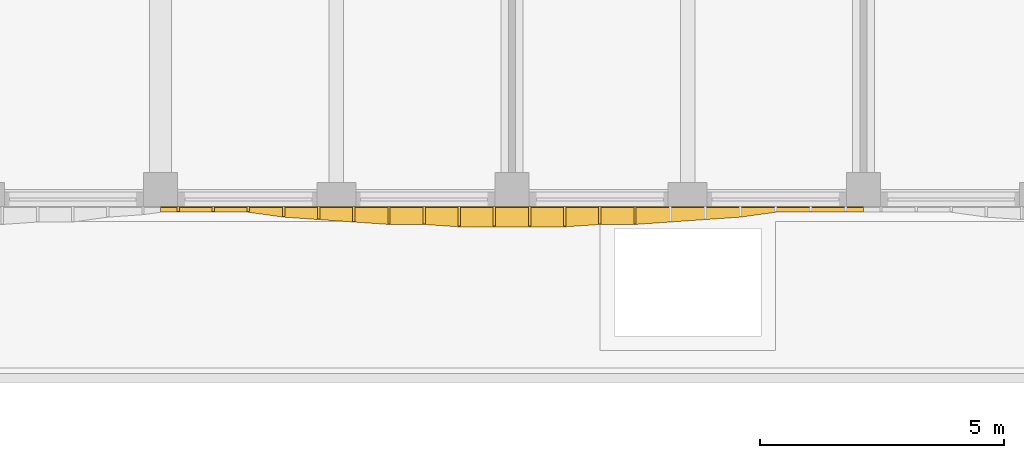
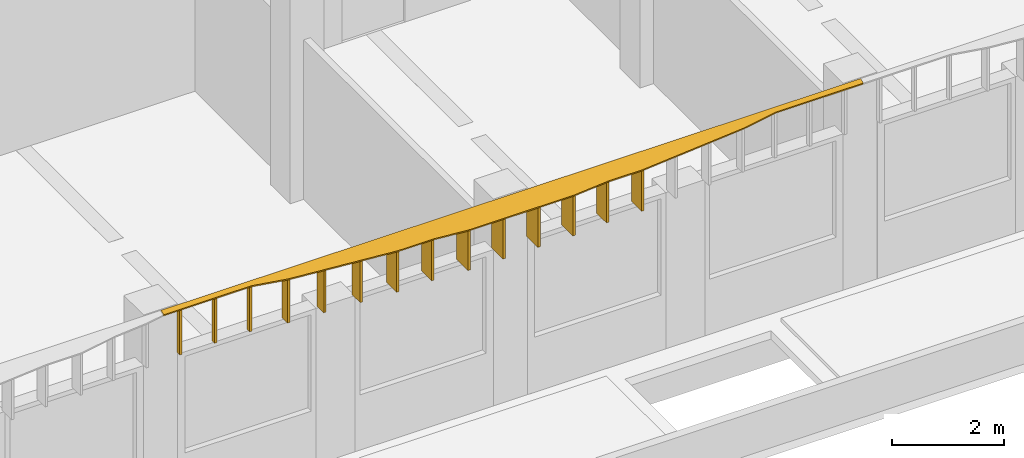
# One storey, part 45 of 59: 15 shading devices.
"""IFC4 building model written with IfcOpenShell, lengths in metres."""

from ifc_helpers import new_model, si_unit, direction, frame, origin, place, context, subcontext, project, spatial, polyline, outline, extrude, material, layer, layer_set, type_object, element, save


model = new_model("IFC4")

# Units and contexts
model_context = context("Model", 3, precision=1e-05, world=origin(), true_north=direction((0.0, 1.0)))
body_context = subcontext(model_context, "Body", "Model", "MODEL_VIEW")
ifc_project = project(units=[si_unit("LENGTHUNIT", "METRE"), si_unit("AREAUNIT", "SQUARE_METRE"), si_unit("VOLUMEUNIT", "CUBIC_METRE"), si_unit("PLANEANGLEUNIT", "RADIAN"), si_unit("MASSUNIT", "GRAM", prefix="KILO")], contexts=[model_context])

# Site, building, storey
site_placement = place(None, origin())
site = spatial("IfcSite", under=ifc_project, at=site_placement, CompositionType="ELEMENT")
building_placement = place(site_placement, origin())
building = spatial("IfcBuilding", under=site, at=building_placement, Name="Ussher Court Research Institute", CompositionType="ELEMENT")
storey_placement = place(building_placement, frame((0.0, 0.0, 5.39990234375)))
storey = spatial("IfcBuildingStorey", under=building, at=storey_placement, Name="L01", CompositionType="ELEMENT", Elevation=5.39990234375)

# Shading devices
ifc_material_1 = material(Name="Bronze anodised aluminium", Category="aluminium")
ifc_layer_1 = layer(ifc_material_1, 0.050048828125)
ifc_layer_set_1 = layer_set([ifc_layer_1], Name="Bronze anodised aluminium")
shading_device_type_1 = type_object("IfcShadingDeviceType", Name="Brim blade 100 mm deep 1000 mm high canted 20 deg dry", PredefinedType="USERDEFINED", material=ifc_layer_set_1)
for number, where, z_axis, x_axis, name in (
    (1, (26.39990234375, 68.39990234375, 3.4501953125), (0.0, 0.0, 1.0), (0.0, -1.0, 0.0), "Brim blade BS17 L01"),
    (2, (25.679931640625, 68.39990234375, 3.4501953125), (0.0, 0.0, 1.0), (0.0, -1.0, 0.0), "Brim blade BS17 L01"),
    (3, (24.9599609375, 68.39990234375, 3.4501953125), (0.0, 0.0, 1.0), (0.0, -1.0, 0.0), "Brim blade BS17 L01"),
):
    element("IfcShadingDevice", number, at=place(storey_placement, frame(where, z_axis=z_axis, x_axis=x_axis)), inside=storey, type_object=shading_device_type_1, Name=name, ObjectType="BLADE", PredefinedType="USERDEFINED", context=body_context, shape_type="SweptSolid", body=[
        extrude(outline(polyline([(0.0, 0.0), (0.099853515625, 0.0), (0.10009765625, 0.963623046875), (0.0, 1.0), (0.0, 0.0)])), frame((0.0, 0.02490234375, 0.0), z_axis=(0.0, -1.0, 0.0), x_axis=(1.0, 0.0, 0.0)), (0.0, 0.0, 1.0), 0.050048828125),
    ])
ifc_material_2 = material(Name="Bronze anodised aluminium", Category="aluminium")
ifc_layer_2 = layer(ifc_material_2, 0.050048828125)
ifc_layer_set_2 = layer_set([ifc_layer_2], Name="Bronze anodised aluminium")
shading_device_type_2 = type_object("IfcShadingDeviceType", Name="Brim blade 200 mm deep 1000 mm high canted 20 deg dry", PredefinedType="USERDEFINED", material=ifc_layer_set_2)
shading_device_1_placement = place(storey_placement, frame((27.1201171875, 68.39990234375, 3.4501953125), z_axis=(0.0, 0.0, 1.0), x_axis=(0.0, -1.0, 0.0)))
element("IfcShadingDevice", 4, at=shading_device_1_placement, inside=storey, type_object=shading_device_type_2, Name="Brim blade BS15 L01", ObjectType="BLADE", PredefinedType="USERDEFINED", context=body_context, shape_type="SweptSolid", body=[
    extrude(outline(polyline([(0.0, 0.0), (0.199951171875, 0.0), (0.199951171875, 0.927001953125), (0.0, 1.0), (0.0, 0.0)])), frame((0.0, 0.02490234375, 0.0), z_axis=(0.0, -1.0, 0.0), x_axis=(1.0, 0.0, 0.0)), (0.0, 0.0, 1.0), 0.050048828125),
])
ifc_material_3 = material(Name="Bronze anodised aluminium", Category="aluminium")
ifc_layer_3 = layer(ifc_material_3, 0.050048828125)
ifc_layer_set_3 = layer_set([ifc_layer_3], Name="Bronze anodised aluminium")
shading_device_type_3 = type_object("IfcShadingDeviceType", Name="Brim blade 250 mm deep 1000 mm high canted 20 deg dry", PredefinedType="USERDEFINED", material=ifc_layer_set_3)
shading_device_2_placement = place(storey_placement, frame((27.840087890625, 68.39990234375, 3.4501953125), z_axis=(0.0, 0.0, 1.0), x_axis=(0.0, -1.0, 0.0)))
element("IfcShadingDevice", 5, at=shading_device_2_placement, inside=storey, type_object=shading_device_type_3, Name="Brim blade BS14 L01", ObjectType="BLADE", PredefinedType="USERDEFINED", context=body_context, shape_type="SweptSolid", body=[
    extrude(outline(polyline([(0.0, 0.0), (0.25, 0.0), (0.25, 0.908935546875), (0.0, 1.0), (0.0, 0.0)])), frame((0.0, 0.02490234375, 0.0), z_axis=(0.0, -1.0, 0.0), x_axis=(1.0, 0.0, 0.0)), (0.0, 0.0, 1.0), 0.050048828125),
])
ifc_material_4 = material(Name="Bronze anodised aluminium", Category="aluminium")
ifc_layer_4 = layer(ifc_material_4, 0.050048828125)
ifc_layer_set_4 = layer_set([ifc_layer_4], Name="Bronze anodised aluminium")
shading_device_type_4 = type_object("IfcShadingDeviceType", Name="Brim blade 300 mm deep 1000 mm high canted 20 deg dry", PredefinedType="USERDEFINED", material=ifc_layer_set_4)
shading_device_3_placement = place(storey_placement, frame((28.56005859375, 68.39990234375, 3.4501953125), z_axis=(0.0, 0.0, 1.0), x_axis=(0.0, -1.0, 0.0)))
element("IfcShadingDevice", 6, at=shading_device_3_placement, inside=storey, type_object=shading_device_type_4, Name="Brim blade BS13 L01", ObjectType="BLADE", PredefinedType="USERDEFINED", context=body_context, shape_type="SweptSolid", body=[
    extrude(outline(polyline([(0.0, 0.0), (0.2998046875, 0.0), (0.300048828125, 0.890625), (0.0, 1.0), (0.0, 0.0)])), frame((0.0, 0.02490234375, 0.0), z_axis=(0.0, -1.0, 0.0), x_axis=(1.0, 0.0, 0.0)), (0.0, 0.0, 1.0), 0.050048828125),
])
ifc_material_5 = material(Name="Bronze anodised aluminium", Category="aluminium")
ifc_layer_5 = layer(ifc_material_5, 0.050048828125)
ifc_layer_set_5 = layer_set([ifc_layer_5], Name="Bronze anodised aluminium")
shading_device_type_5 = type_object("IfcShadingDeviceType", Name="Brim blade 350 mm deep 1000 mm high canted 20 deg dry", PredefinedType="USERDEFINED", material=ifc_layer_set_5)
for number, where, z_axis, x_axis, name in (
    (7, (34.320068359375, 68.39990234375, 3.4501953125), (0.0, 0.0, 1.0), (0.0, -1.0, 0.0), "Brim blade BS12 L01"),
    (8, (33.60009765625, 68.39990234375, 3.4501953125), (0.0, 0.0, 1.0), (0.0, -1.0, 0.0), "Brim blade BS12 L01"),
    (9, (30.0, 68.39990234375, 3.4501953125), (0.0, 0.0, 1.0), (0.0, -1.0, 0.0), "Brim blade BS12 L01"),
    (10, (29.280029296875, 68.39990234375, 3.4501953125), (0.0, 0.0, 1.0), (0.0, -1.0, 0.0), "Brim blade BS12 L01"),
):
    element("IfcShadingDevice", number, at=place(storey_placement, frame(where, z_axis=z_axis, x_axis=x_axis)), inside=storey, type_object=shading_device_type_5, Name=name, ObjectType="BLADE", PredefinedType="USERDEFINED", context=body_context, shape_type="SweptSolid", body=[
        extrude(outline(polyline([(0.0, 0.0), (0.349853515625, 0.0), (0.35009765625, 0.87255859375), (0.0, 1.0), (0.0, 0.0)])), frame((0.0, 0.02490234375, 0.0), z_axis=(0.0, -1.0, 0.0), x_axis=(1.0, 0.0, 0.0)), (0.0, 0.0, 1.0), 0.050048828125),
    ])
ifc_material_6 = material(Name="Bronze anodised aluminium", Category="aluminium")
ifc_layer_6 = layer(ifc_material_6, 0.050048828125)
ifc_layer_set_6 = layer_set([ifc_layer_6], Name="Bronze anodised aluminium")
shading_device_type_6 = type_object("IfcShadingDeviceType", Name="Brim blade 400 mm deep 1000 mm high canted 20 deg dry", PredefinedType="USERDEFINED", material=ifc_layer_set_6)
for number, where, z_axis, x_axis, name in (
    (11, (32.8798828125, 68.39990234375, 3.4501953125), (0.0, 0.0, 1.0), (0.0, -1.0, 0.0), "Brim blade BS11 L01"),
    (12, (32.159912109375, 68.39990234375, 3.4501953125), (0.0, 0.0, 1.0), (0.0, -1.0, 0.0), "Brim blade BS11 L01"),
    (13, (31.43994140625, 68.39990234375, 3.4501953125), (0.0, 0.0, 1.0), (0.0, -1.0, 0.0), "Brim blade BS11 L01"),
    (14, (30.719970703125, 68.39990234375, 3.4501953125), (0.0, 0.0, 1.0), (0.0, -1.0, 0.0), "Brim blade BS11 L01"),
):
    element("IfcShadingDevice", number, at=place(storey_placement, frame(where, z_axis=z_axis, x_axis=x_axis)), inside=storey, type_object=shading_device_type_6, Name=name, ObjectType="BLADE", PredefinedType="USERDEFINED", context=body_context, shape_type="SweptSolid", body=[
        extrude(outline(polyline([(0.0, 0.0), (0.39990234375, 0.0), (0.39990234375, 0.854248046875), (0.0, 1.0), (0.0, 0.0)])), frame((0.0, 0.02490234375, 0.0), z_axis=(0.0, -1.0, 0.0), x_axis=(1.0, 0.0, 0.0)), (0.0, 0.0, 1.0), 0.050048828125),
    ])
ifc_material_7 = material(Name="Bronze anodised aluminium", Category="aluminium")
ifc_layer_7 = layer(ifc_material_7, 0.0400390625)
ifc_layer_set_7 = layer_set([ifc_layer_7], Name="Bronze anodised aluminium")
shading_device_type_7 = type_object("IfcShadingDeviceType", Name="Brim visor sheet 40 mm canted 20 deg dry", PredefinedType="USERDEFINED", material=ifc_layer_set_7)
shading_device_4_placement = place(storey_placement, frame((39.0, 68.38623046875, 4.48779296875), z_axis=(0.0, -0.342400477754, 0.939554103197), x_axis=(-1.0, 0.0, 0.0)))
element("IfcShadingDevice", 15, at=shading_device_4_placement, inside=storey, type_object=shading_device_type_7, Name="Brim visor sheet BR2 L01", ObjectType="BRIM", PredefinedType="USERDEFINED", context=body_context, shape_type="SweptSolid", body=[
    extrude(outline(polyline([(0.0, 0.0), (14.39990234375, 0.0), (14.39990234375, 0.10627326645332352), (14.0400390625, 0.10627326645332352), (13.320068359375, 0.10627326645332352), (12.60009765625, 0.10627326645332352), (11.8798828125, 0.21285951009926202), (11.159912109375, 0.26606903805559207), (10.43994140625, 0.31936215987856126), (9.719970703125, 0.3723423045089156), (9.0, 0.3723423045089156), (8.280029296875, 0.42563542633188484), (7.56005859375, 0.42563542633188484), (6.840087890625, 0.42563542633188484), (6.1201171875, 0.42563542633188484), (5.39990234375, 0.3723423045089156), (4.679931640625, 0.3723423045089156), (3.9599609375, 0.31936215987856126), (3.239990234375, 0.26606903805559207), (2.52001953125, 0.21285951009926202), (1.800048828125, 0.10627326645332352), (1.080078125, 0.10627326645332352), (0.360107421875, 0.10627326645332352), (0.0, 0.10627326645332352), (0.0, 0.0)])), origin(), (0.0, 0.0, -1.0), 0.0400390625),
])

save(model, "model.ifc")
